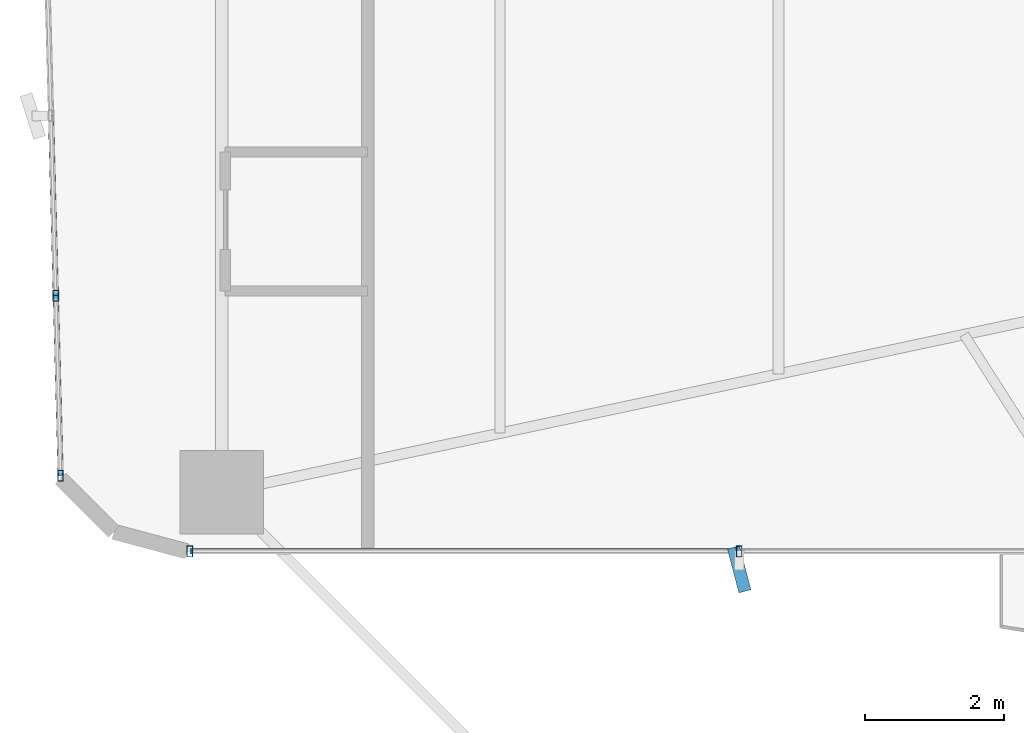
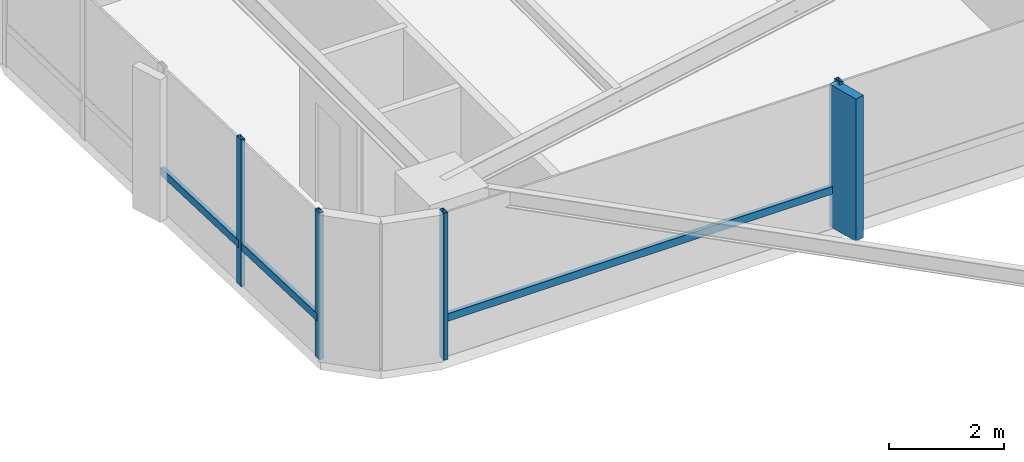
# One storey, part 6 of 26: 8 members, 2 elements without a shape of their own.
"""IFC4 building model written with IfcOpenShell, lengths in metres."""

from ifc_helpers import new_model, si_unit, direction, frame, origin, origin_2d, place, context, subcontext, project, spatial, rectangle, hollow_rectangle, extrude, source, transform, mapped, material, material_profile, profile_set, type_object, element, aggregate, save


model = new_model("IFC4")

# Units and contexts
model_context = context("Model", 3, precision=1e-05, world=origin(), true_north=direction((0.0, 1.0)))
body_context = subcontext(model_context, "Body", "Model", "MODEL_VIEW")
ifc_project = project(units=[si_unit("LENGTHUNIT", "METRE"), si_unit("AREAUNIT", "SQUARE_METRE"), si_unit("VOLUMEUNIT", "CUBIC_METRE"), si_unit("PLANEANGLEUNIT", "RADIAN"), si_unit("MASSUNIT", "GRAM", prefix="KILO")], contexts=[model_context])

# Site, building, storey
site_placement = place(None, origin())
site = spatial("IfcSite", under=ifc_project, at=site_placement, CompositionType="ELEMENT")
building_placement = place(site_placement, origin())
building = spatial("IfcBuilding", under=site, at=building_placement, Name="Sahyath Konkavel Grand Hotel", CompositionType="ELEMENT")
storey_placement = place(building_placement, frame((0.0, 0.0, 61.10009765625)))
storey = spatial("IfcBuildingStorey", under=building, at=storey_placement, Name="L16", CompositionType="ELEMENT", Elevation=61.10009765625)

# Curtain wall, members
ifc_material_1 = material(Name="Anodised Bronze Aluminium & Low-E Glazing", Category="aluminium")
curtain_wall_type = type_object("IfcCurtainWallType", Name="CW-ZONE1", PredefinedType="NOTDEFINED", material=ifc_material_1)
curtain_wall_1_placement = place(storey_placement, origin())
curtain_wall_1 = element("IfcCurtainWall", 1, at=curtain_wall_1_placement, inside=storey, type_object=curtain_wall_type, Name="L16 Unitised Curtain Wall F20", PredefinedType="NOTDEFINED")
ifc_material_2 = material(Name="Anodised Bronze Aluminium", Category="aluminium")
ifc_material_profile_1 = material_profile(ifc_material_2, hollow_rectangle(XDim=0.080078125, YDim=0.159912109375, WallThickness=0.006103515625, at=origin_2d()), Name="RHS 160x80x6")
ifc_profile_set_1 = profile_set([ifc_material_profile_1], Name="Anodised Bronze Aluminium")
member_type_1 = type_object("IfcMemberType", Name="CW-MUL-160", PredefinedType="MULLION", material=ifc_profile_set_1)
shared_shape_1 = source(origin(), body_context, "Body", "SweptSolid", [
    extrude(hollow_rectangle(XDim=0.080078125, YDim=0.159912109375, WallThickness=0.006103515625, at=origin_2d()), origin(), (0.0, 0.0, 1.0), 3.10986328125),
])
member_1_placement = place(storey_placement, frame((-24.589599609375, -3.117431640625, 0.0), z_axis=(0.0, 0.0, 1.0), x_axis=(1.0, 0.0, 0.0)))
member_1 = element("IfcMember", 2, at=member_1_placement, type_object=member_type_1, Name="L16 Curtain Wall Mullion F20-3", PredefinedType="MULLION", context=body_context, shape_type="MappedRepresentation", body=[
    mapped(shared_shape_1, transform((0.0, 0.0, 0.0), scale=1.0)),
])
member_2_placement = place(storey_placement, frame((-24.519775390625, -5.7099609375, 0.0), z_axis=(0.0, 0.0, 1.0), x_axis=(1.0, 0.0, 0.0)))
member_2 = element("IfcMember", 3, at=member_2_placement, type_object=member_type_1, Name="L16 Curtain Wall Mullion F20-4", PredefinedType="MULLION", context=body_context, shape_type="MappedRepresentation", body=[
    mapped(shared_shape_1, transform((0.0, 0.0, 0.0), scale=1.0)),
])

curtain_wall_2_placement = place(storey_placement, origin())
curtain_wall_2 = element("IfcCurtainWall", 4, at=curtain_wall_2_placement, inside=storey, type_object=curtain_wall_type, Name="L16 Unitised Curtain Wall F23", PredefinedType="NOTDEFINED")
member_3_placement = place(storey_placement, frame((-22.659912109375, -6.800048828125, 0.0), z_axis=(0.0, 0.0, 1.0), x_axis=(1.0, 0.0, 0.0)))
member_3 = element("IfcMember", 5, at=member_3_placement, type_object=member_type_1, Name="L16 Curtain Wall Mullion F23-0", PredefinedType="MULLION", context=body_context, shape_type="MappedRepresentation", body=[
    mapped(shared_shape_1, transform((0.0, 0.0, 0.0), scale=1.0)),
])
member_4_placement = place(storey_placement, frame((-14.75, -6.800048828125, 0.0), z_axis=(0.0, 0.0, 1.0), x_axis=(1.0, 0.0, 0.0)))
member_4 = element("IfcMember", 6, at=member_4_placement, type_object=member_type_1, Name="L16 Curtain Wall Mullion F23-1", PredefinedType="MULLION", context=body_context, shape_type="MappedRepresentation", body=[
    mapped(shared_shape_1, transform((0.0, 0.0, 0.0), scale=1.0)),
])
ifc_material_3 = material(Name="Warm Buff Sandstone Cladding on Concrete C50/60", Category="masonry")
ifc_material_profile_2 = material_profile(ifc_material_3, rectangle(XDim=0.179931640625, YDim=0.64990234375, at=origin_2d()), Name="FIN 180x650")
ifc_profile_set_2 = profile_set([ifc_material_profile_2], Name="Warm Buff Sandstone Cladding on Concrete C50/60")
member_type_2 = type_object("IfcMemberType", Name="FIN-SANDSTONE-650", PredefinedType="MULLION", material=ifc_profile_set_2)
shared_shape_2 = source(origin(), body_context, "Body", "SweptSolid", [
    extrude(rectangle(XDim=0.179931640625, YDim=0.64990234375, at=origin_2d()), origin(), (0.0, 0.0, 1.0), 3.010009765625),
])
member_5_placement = place(storey_placement, frame((-14.75, -7.06005859375, 0.0498046875), z_axis=(0.0, 0.0, 1.0), x_axis=(0.967134752842, 0.254264369988, 0.0)))
member_5 = element("IfcMember", 7, at=member_5_placement, type_object=member_type_2, Name="L16 Sandstone Vertical Solar Fin FIN F23-1", PredefinedType="MULLION", context=body_context, shape_type="MappedRepresentation", body=[
    mapped(shared_shape_2, transform((0.0, 0.0, 0.0), scale=1.0)),
])
ifc_material_profile_3 = material_profile(ifc_material_2, hollow_rectangle(XDim=0.080078125, YDim=0.159912109375, WallThickness=0.006103515625, at=origin_2d()), Name="RHS 160x80x6")
ifc_profile_set_3 = profile_set([ifc_material_profile_3], Name="Anodised Bronze Aluminium")
member_type_3 = type_object("IfcMemberType", Name="CW-TRN-160", PredefinedType="USERDEFINED", material=ifc_profile_set_3)
shared_shape_3 = source(origin(), body_context, "Body", "SweptSolid", [
    extrude(hollow_rectangle(XDim=0.080078125, YDim=0.159912109375, WallThickness=0.006103515625, at=origin_2d()), origin(), (0.0, 0.0, 1.0), 7.909912109375),
])
member_6_placement = place(storey_placement, frame((-22.659912109375, -6.800048828125, 0.849853515625), z_axis=(1.0, 0.0, 0.0), x_axis=(0.0, 1.0, 0.0)))
member_6 = element("IfcMember", 8, at=member_6_placement, type_object=member_type_3, Name="L16 Curtain Wall Transom F23-0-spandrel", ObjectType="TRANSOM", PredefinedType="USERDEFINED", context=body_context, shape_type="MappedRepresentation", body=[
    mapped(shared_shape_3, transform((0.0, 0.0, 0.0), scale=1.0)),
])
aggregate(curtain_wall_2, [member_3, member_4, member_5, member_6])

# Member
shared_shape_4 = source(origin(), body_context, "Body", "SweptSolid", [
    extrude(hollow_rectangle(XDim=0.080078125, YDim=0.159912109375, WallThickness=0.006103515625, at=origin_2d()), origin(), (0.0, 0.0, 1.0), 2.593505859375),
])
member_7_placement = place(storey_placement, frame((-24.6591796875, -0.52490234375, 0.849853515625), z_axis=(0.02682902444, -0.999640036937, 0.0), x_axis=(0.999640036937, 0.02682902444, 0.0)))
member_7 = element("IfcMember", 9, at=member_7_placement, type_object=member_type_3, Name="L16 Curtain Wall Transom F20-2-spandrel", ObjectType="TRANSOM", PredefinedType="USERDEFINED", context=body_context, shape_type="MappedRepresentation", body=[
    mapped(shared_shape_4, transform((0.0, 0.0, 0.0), scale=1.0)),
])

member_8_placement = place(storey_placement, frame((-24.589599609375, -3.117431640625, 0.849853515625), z_axis=(0.026923093252, -0.999637507825, 0.0), x_axis=(0.999637507825, 0.026923093252, 0.0)))
member_8 = element("IfcMember", 10, at=member_8_placement, type_object=member_type_3, Name="L16 Curtain Wall Transom F20-3-spandrel", ObjectType="TRANSOM", PredefinedType="USERDEFINED", context=body_context, shape_type="MappedRepresentation", body=[
    mapped(shared_shape_4, transform((0.0, 0.0, 0.0), scale=1.0)),
])

aggregate(curtain_wall_1, [member_1, member_2, member_7, member_8])

save(model, "model.ifc")
